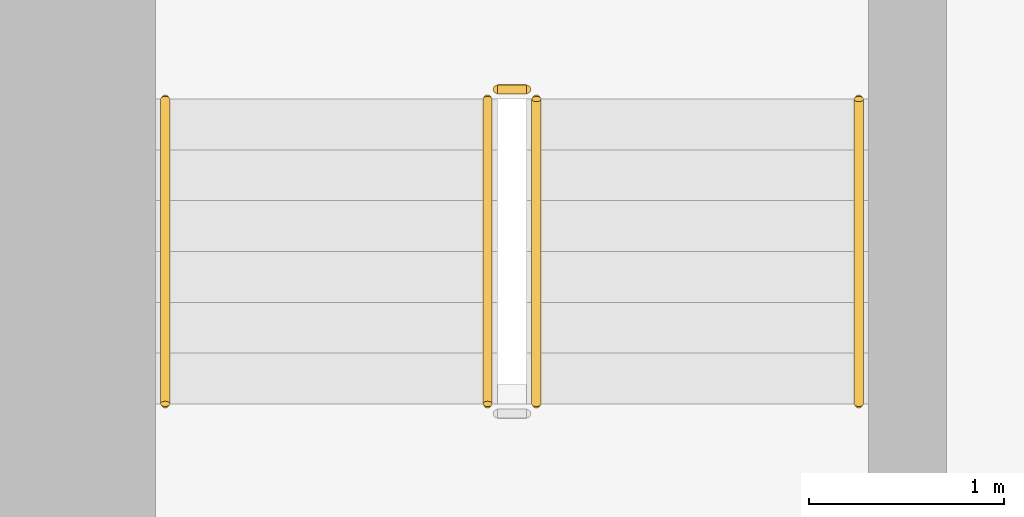
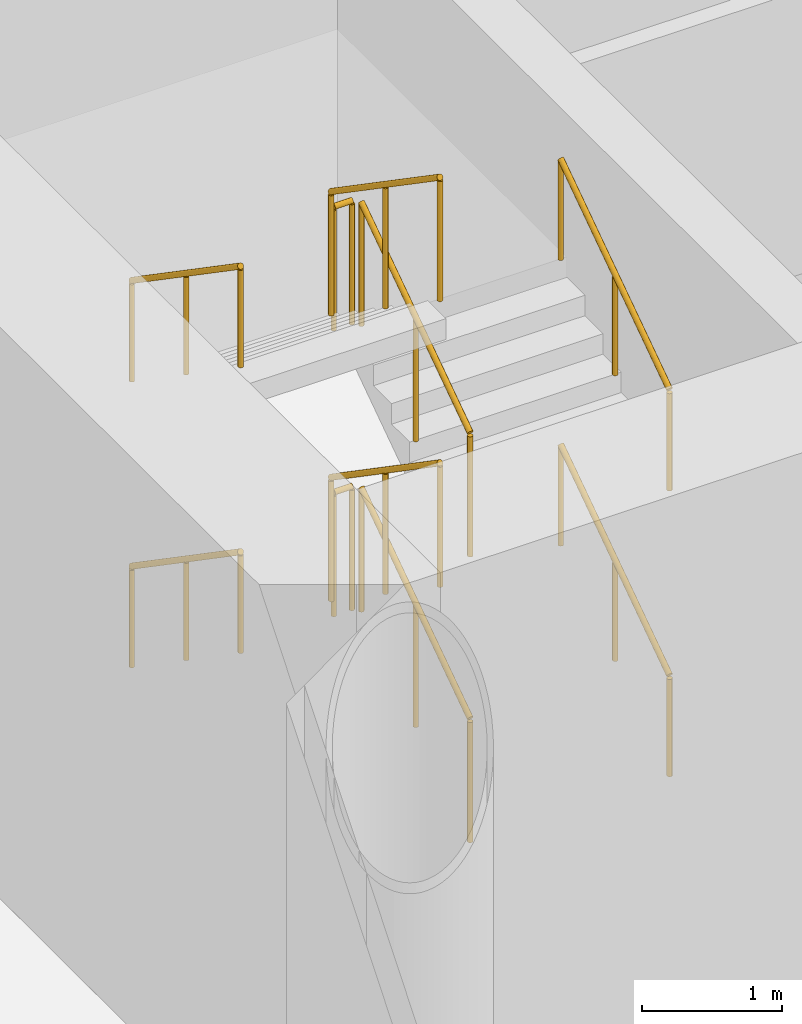
# One storey, part 55 of 59: 10 railings.
"""IFC4 building model written with IfcOpenShell, lengths in metres."""

import ifcopenshell
import ifcopenshell.guid

model = None  # the IFC model being written
_history = None  # IfcOwnerHistory: only IFC2X3 demands one
_inside = {}  # id of a spatial element -> (the spatial element, [elements in it])
_under = {}  # id of a project, library or spatial element -> (it, [spatial elements below it])
_declared = {}  # id of a project -> (the project, [libraries it declares])
_typed = {}  # id of a type object -> (the type object, [elements of that type])
_made_of = {}  # id of a material, layer set ... -> (it, [elements and type objects made of it])


def new_model(schema):
    """Start an empty IFC model of exactly this schema.

    Asked for "IFC4X3", IfcOpenShell would pick the latest addendum, in which some entities
    have other attributes; the version numbers below select the first issue.
    IFC2X3 requires an IfcOwnerHistory on every rooted entity: one is made here for all.
    """
    global model, _history
    if schema == "IFC4X3":
        model = ifcopenshell.file(schema_version=(4, 3, 0, 0))
    else:
        model = ifcopenshell.file(schema=schema)
    _inside.clear()
    _under.clear()
    _declared.clear()
    _typed.clear()
    _made_of.clear()
    _history = None
    if model.schema == "IFC2X3":
        org = make("IfcOrganization", Name="unknown")
        user = make(
            "IfcPersonAndOrganization",
            ThePerson=make("IfcPerson", FamilyName="unknown"),
            TheOrganization=org,
        )
        app = make(
            "IfcApplication",
            ApplicationDeveloper=org,
            Version="unknown",
            ApplicationFullName="unknown",
            ApplicationIdentifier="unknown",
        )
        _history = make(
            "IfcOwnerHistory",
            OwningUser=user,
            OwningApplication=app,
            ChangeAction="ADDED",
            CreationDate=0,
        )
    return model


def make(cls, **values):
    """One entity of the class cls with the attributes given. An attribute that is None is left unset."""
    return model.create_entity(
        cls, **{name: value for name, value in values.items() if value is not None}
    )


def rooted(cls, **values):
    """An entity with a GlobalId (a new one), such as an element, a storey or a relation."""
    return make(cls, GlobalId=ifcopenshell.guid.new(), OwnerHistory=_history, **values)


def si_unit(unit_type, name, prefix=None):
    """IfcSIUnit, for example si_unit("LENGTHUNIT", "METRE", prefix="MILLI")."""
    return make("IfcSIUnit", UnitType=unit_type, Prefix=prefix, Name=name)


def assignment(units):
    """IfcUnitAssignment: the units of a project."""
    return None if units is None else make("IfcUnitAssignment", Units=units)


def point(xyz):
    """IfcCartesianPoint."""
    return None if xyz is None else make("IfcCartesianPoint", Coordinates=xyz)


def direction(xyz):
    """IfcDirection."""
    return None if xyz is None else make("IfcDirection", DirectionRatios=xyz)


def frame(location, z_axis=None, x_axis=None):
    """IfcAxis2Placement3D, a coordinate frame: its origin and axes. An axis left out is left unset."""
    return make(
        "IfcAxis2Placement3D",
        Location=point(location),
        Axis=direction(z_axis),
        RefDirection=direction(x_axis),
    )


def frame_2d(location, x_axis=None):
    """IfcAxis2Placement2D, a coordinate frame in the plane: its origin and x axis."""
    return make(
        "IfcAxis2Placement2D", Location=point(location), RefDirection=direction(x_axis)
    )


def origin():
    """The frame at (0, 0, 0) with its axes left unset."""
    return frame((0.0, 0.0, 0.0))


def origin_2d():
    """The frame at (0, 0) in the plane with its x axis left unset."""
    return frame_2d((0.0, 0.0))


def place(relative_to, where):
    """IfcLocalPlacement: puts the frame where relative to a parent placement (None: the world)."""
    return make(
        "IfcLocalPlacement", PlacementRelTo=relative_to, RelativePlacement=where
    )


def context(
    kind, dimensions, precision=None, world=None, true_north=None, identifier=None
):
    """IfcGeometricRepresentationContext, for example the 3D "Model" context."""
    return make(
        "IfcGeometricRepresentationContext",
        ContextIdentifier=identifier,
        ContextType=kind,
        CoordinateSpaceDimension=dimensions,
        Precision=precision,
        WorldCoordinateSystem=world,
        TrueNorth=true_north,
    )


def subcontext(parent, identifier, kind, view, scale=None):
    """IfcGeometricRepresentationSubContext, for example "Body" below "Model"."""
    return make(
        "IfcGeometricRepresentationSubContext",
        ContextIdentifier=identifier,
        ContextType=kind,
        ParentContext=parent,
        TargetScale=scale,
        TargetView=view,
    )


def project(units=None, contexts=None):
    """IfcProject with its units and contexts."""
    return rooted(
        "IfcProject",
        Name="project",
        RepresentationContexts=contexts,
        UnitsInContext=assignment(units),
    )


def spatial(cls, under=None, at=None, **own):
    """A site, building, storey or space (cls), placed at a placement, below another one or the project."""
    s = rooted(cls, ObjectPlacement=at, **own)
    if under is not None:
        _under.setdefault(under.id(), (under, []))[1].append(s)
    return s


def profile(cls, at=None, kind="AREA", **sizes):
    """A parametric profile (cls). Its sizes go by their IFC names, for example OverallWidth=200.0."""
    return make(cls, ProfileType=kind, Position=at, **sizes)


def circle(**sizes):
    """IfcCircleProfileDef."""
    return profile("IfcCircleProfileDef", **sizes)


def extrude(swept, where, along, depth):
    """IfcExtrudedAreaSolid: the profile swept, set in the frame where, extruded along a direction by depth."""
    return make(
        "IfcExtrudedAreaSolid",
        SweptArea=swept,
        Position=where,
        ExtrudedDirection=direction(along),
        Depth=depth,
    )


def shape(context_of_items, identifier, shape_type, items):
    """IfcShapeRepresentation: the items that make up one representation, for example the "Body"."""
    return make(
        "IfcShapeRepresentation",
        ContextOfItems=context_of_items,
        RepresentationIdentifier=identifier,
        RepresentationType=shape_type,
        Items=items,
    )


def material(Name=None, Category=None):
    """IfcMaterial."""
    return make("IfcMaterial", Name=Name, Category=Category)


def made_of(thing, what):
    """Note that an element or type object is made of a material, layer set ...; save() writes the relation."""
    if what is not None:
        _made_of.setdefault(what.id(), (what, []))[1].append(thing)
    return thing


def type_object(cls, material=None, **own):
    """A type object (cls), such as IfcWallType, which elements share."""
    return made_of(rooted(cls, **own), material)


def element(
    cls,
    number,
    at=None,
    inside=None,
    cuts=None,
    type_object=None,
    material=None,
    context=None,
    identifier="Body",
    shape_type=None,
    held_by="IfcProductDefinitionShape",
    body=None,
    shapes=None,
    **own,
):
    """One element of the class cls, such as IfcWall. Its Tag is "e" and its number.

    at: its placement. inside: the storey or other place that contains it. cuts: it is an
    opening in that element (IfcRelVoidsElement). A single representation is given by context,
    identifier, shape_type and body (its items); several are given by shapes. held_by: the class
    of the entity that holds the representations. save() writes the other relations.
    """
    e = rooted(cls, Tag="e%d" % number, ObjectPlacement=at, **own)
    if body is not None:
        shapes = [shape(context, identifier, shape_type, body)]
    if shapes is not None:
        e.Representation = make(held_by, Representations=shapes)
    if inside is not None:
        _inside.setdefault(inside.id(), (inside, []))[1].append(e)
    if cuts is not None:
        rooted(
            "IfcRelVoidsElement", RelatingBuildingElement=cuts, RelatedOpeningElement=e
        )
    if type_object is not None:
        _typed.setdefault(type_object.id(), (type_object, []))[1].append(e)
    return made_of(e, material)


def aggregate(whole, parts):
    """IfcRelAggregates: a whole, such as a stair, and the parts it consists of."""
    return rooted("IfcRelAggregates", RelatingObject=whole, RelatedObjects=parts)


def save(model, path):
    """Write the relations noted so far, then the file.

    IfcRelAggregates (storeys below a building ...), IfcRelContainedInSpatialStructure (elements
    in a storey), IfcRelDefinesByType, IfcRelAssociatesMaterial and IfcRelDeclares: one each for
    every whole, place, type object, material and project.
    """
    for whole, parts in _under.values():
        aggregate(whole, parts)
    for where, things in _inside.values():
        rooted(
            "IfcRelContainedInSpatialStructure",
            RelatedElements=things,
            RelatingStructure=where,
        )
    for kind, things in _typed.values():
        rooted("IfcRelDefinesByType", RelatedObjects=things, RelatingType=kind)
    for what, things in _made_of.values():
        rooted("IfcRelAssociatesMaterial", RelatedObjects=things, RelatingMaterial=what)
    for by, libraries in _declared.values():
        rooted("IfcRelDeclares", RelatingContext=by, RelatedDefinitions=libraries)
    model.write(path)


model = new_model("IFC4")

# Units and contexts
model_context = context("Model", 3, precision=1e-05, world=origin(), true_north=direction((0.0, 1.0)))
body_context = subcontext(model_context, "Body", "Model", "MODEL_VIEW")
ifc_project = project(units=[si_unit("LENGTHUNIT", "METRE"), si_unit("AREAUNIT", "SQUARE_METRE"), si_unit("VOLUMEUNIT", "CUBIC_METRE"), si_unit("PLANEANGLEUNIT", "RADIAN"), si_unit("MASSUNIT", "GRAM", prefix="KILO")], contexts=[model_context])

# Site, building, storey
site_placement = place(None, origin())
site = spatial("IfcSite", under=ifc_project, at=site_placement, CompositionType="ELEMENT")
building_placement = place(site_placement, origin())
building = spatial("IfcBuilding", under=site, at=building_placement, Name="Ipe Terrace Towers", CompositionType="ELEMENT")
storey_placement = place(building_placement, frame((0.0, 0.0, 6.0)))
storey = spatial("IfcBuildingStorey", under=building, at=storey_placement, Name="L01", CompositionType="ELEMENT", Elevation=6.0)

# Railings
ifc_material_1 = material(Name="Steel S355", Category="steel")
railing_type_1 = type_object("IfcRailingType", Name="Stair guard 1100", PredefinedType="GUARDRAIL", material=ifc_material_1)
railing_1_placement = place(storey_placement, frame((32.39990234375, 9.699951171875, 0.178466796875)))
element("IfcRailing", 1, at=railing_1_placement, inside=storey, type_object=railing_type_1, Name="L01 T2-ST1 stair guard 1", PredefinedType="GUARDRAIL", context=body_context, shape_type="SweptSolid", body=[
    extrude(circle(Radius=0.02392578125, at=origin_2d()), frame((0.0, 0.0, 1.076171875), z_axis=(0.0, 0.82429025813, 0.566167440208), x_axis=(-1.0, 0.0, 0.0)), (0.0, 0.0, 1.0), 1.892578125),
    extrude(circle(Radius=0.02099609375, at=origin_2d()), origin(), (0.0, 0.0, 1.0), 1.052001953125),
    extrude(circle(Radius=0.02099609375, at=origin_2d()), frame((0.0, 0.780029296875, 0.53564453125)), (0.0, 0.0, 1.0), 1.052001953125),
    extrude(circle(Radius=0.02099609375, at=origin_2d()), frame((0.0, 1.56005859375, 1.071533203125)), (0.0, 0.0, 1.0), 1.052001953125),
])
railing_2_placement = place(storey_placement, frame((32.35009765625, 11.31005859375, 1.25)))
element("IfcRailing", 2, at=railing_2_placement, inside=storey, type_object=railing_type_1, Name="L01 T2-ST1 stair guard 2", PredefinedType="GUARDRAIL", context=body_context, shape_type="SweptSolid", body=[
    extrude(circle(Radius=0.02392578125, at=origin_2d()), frame((0.0, 0.0, 1.076171875), z_axis=(-1.0, 0.0, 0.0), x_axis=(0.0, -1.0, 0.0)), (0.0, 0.0, 1.0), 0.150146484375),
    extrude(circle(Radius=0.02099609375, at=origin_2d()), origin(), (0.0, 0.0, 1.0), 1.052001953125),
    extrude(circle(Radius=0.02099609375, at=origin_2d()), frame((-0.150146484375, 0.0, 0.0)), (0.0, 0.0, 1.0), 1.052001953125),
])
railing_3_placement = place(storey_placement, frame((32.14990234375, 11.260009765625, 1.428466796875)))
element("IfcRailing", 3, at=railing_3_placement, inside=storey, type_object=railing_type_1, Name="L01 T2-ST1 stair guard 3", PredefinedType="GUARDRAIL", context=body_context, shape_type="SweptSolid", body=[
    extrude(circle(Radius=0.02392578125, at=origin_2d()), frame((0.0, 0.0, 1.076171875), z_axis=(0.0, -0.82429025813, 0.566167440208), x_axis=(1.0, 0.0, 0.0)), (0.0, 0.0, 1.0), 1.892578125),
    extrude(circle(Radius=0.02099609375, at=origin_2d()), origin(), (0.0, 0.0, 1.0), 1.052001953125),
    extrude(circle(Radius=0.02099609375, at=origin_2d()), frame((0.0, -0.780029296875, 0.53564453125)), (0.0, 0.0, 1.0), 1.052001953125),
    extrude(circle(Radius=0.02099609375, at=origin_2d()), frame((0.0, -1.56005859375, 1.071533203125)), (0.0, 0.0, 1.0), 1.052001953125),
])
railing_4_placement = place(storey_placement, frame((32.39990234375, 9.699951171875, 2.678466796875)))
element("IfcRailing", 4, at=railing_4_placement, inside=storey, type_object=railing_type_1, Name="L01 T2-ST1 stair guard 5", PredefinedType="GUARDRAIL", context=body_context, shape_type="SweptSolid", body=[
    extrude(circle(Radius=0.02392578125, at=origin_2d()), frame((0.0, 0.0, 1.076171875), z_axis=(0.0, 0.82429025813, 0.566167440208), x_axis=(-1.0, 0.0, 0.0)), (0.0, 0.0, 1.0), 1.892578125),
    extrude(circle(Radius=0.02099609375, at=origin_2d()), origin(), (0.0, 0.0, 1.0), 1.052001953125),
    extrude(circle(Radius=0.02099609375, at=origin_2d()), frame((0.0, 0.780029296875, 0.53564453125)), (0.0, 0.0, 1.0), 1.052001953125),
    extrude(circle(Radius=0.02099609375, at=origin_2d()), frame((0.0, 1.56005859375, 1.071533203125)), (0.0, 0.0, 1.0), 1.052001953125),
])
railing_5_placement = place(storey_placement, frame((32.35009765625, 11.31005859375, 3.75)))
element("IfcRailing", 5, at=railing_5_placement, inside=storey, type_object=railing_type_1, Name="L01 T2-ST1 stair guard 6", PredefinedType="GUARDRAIL", context=body_context, shape_type="SweptSolid", body=[
    extrude(circle(Radius=0.02392578125, at=origin_2d()), frame((0.0, 0.0, 1.076171875), z_axis=(-1.0, 0.0, 0.0), x_axis=(0.0, -1.0, 0.0)), (0.0, 0.0, 1.0), 0.150146484375),
    extrude(circle(Radius=0.02099609375, at=origin_2d()), origin(), (0.0, 0.0, 1.0), 1.052001953125),
    extrude(circle(Radius=0.02099609375, at=origin_2d()), frame((-0.150146484375, 0.0, 0.0)), (0.0, 0.0, 1.0), 1.052001953125),
])
railing_6_placement = place(storey_placement, frame((32.14990234375, 11.260009765625, 3.928466796875)))
element("IfcRailing", 6, at=railing_6_placement, inside=storey, type_object=railing_type_1, Name="L01 T2-ST1 stair guard 7", PredefinedType="GUARDRAIL", context=body_context, shape_type="SweptSolid", body=[
    extrude(circle(Radius=0.02392578125, at=origin_2d()), frame((0.0, 0.0, 1.076171875), z_axis=(0.0, -0.82429025813, 0.566167440208), x_axis=(1.0, 0.0, 0.0)), (0.0, 0.0, 1.0), 1.892578125),
    extrude(circle(Radius=0.02099609375, at=origin_2d()), origin(), (0.0, 0.0, 1.0), 1.052001953125),
    extrude(circle(Radius=0.02099609375, at=origin_2d()), frame((0.0, -0.780029296875, 0.53564453125)), (0.0, 0.0, 1.0), 1.052001953125),
    extrude(circle(Radius=0.02099609375, at=origin_2d()), frame((0.0, -1.56005859375, 1.071533203125)), (0.0, 0.0, 1.0), 1.052001953125),
])
ifc_material_2 = material(Name="Stainless steel grade 304", Category="steel")
railing_type_2 = type_object("IfcRailingType", Name="Stair handrail 900", PredefinedType="HANDRAIL", material=ifc_material_2)
railing_7_placement = place(storey_placement, frame((34.050048828125, 9.699951171875, 0.178466796875)))
element("IfcRailing", 7, at=railing_7_placement, inside=storey, type_object=railing_type_2, Name="L01 T2-ST1 stair handrail 1", PredefinedType="HANDRAIL", context=body_context, shape_type="SweptSolid", body=[
    extrude(circle(Radius=0.02392578125, at=origin_2d()), frame((0.0, 0.0, 0.8759765625), z_axis=(0.0, 0.82429025813, 0.566167440208), x_axis=(-1.0, 0.0, 0.0)), (0.0, 0.0, 1.0), 1.892578125),
    extrude(circle(Radius=0.02099609375, at=origin_2d()), origin(), (0.0, 0.0, 1.0), 0.851806640625),
    extrude(circle(Radius=0.02099609375, at=origin_2d()), frame((0.0, 0.780029296875, 0.53564453125)), (0.0, 0.0, 1.0), 0.851806640625),
    extrude(circle(Radius=0.02099609375, at=origin_2d()), frame((0.0, 1.56005859375, 1.071533203125)), (0.0, 0.0, 1.0), 0.851806640625),
])
railing_8_placement = place(storey_placement, frame((30.5, 11.260009765625, 1.428466796875)))
element("IfcRailing", 8, at=railing_8_placement, inside=storey, type_object=railing_type_2, Name="L01 T2-ST1 stair handrail 2", PredefinedType="HANDRAIL", context=body_context, shape_type="SweptSolid", body=[
    extrude(circle(Radius=0.02392578125, at=origin_2d()), frame((0.0, 0.0, 0.8759765625), z_axis=(0.0, -0.82429025813, 0.566167440208), x_axis=(1.0, 0.0, 0.0)), (0.0, 0.0, 1.0), 1.892578125),
    extrude(circle(Radius=0.02099609375, at=origin_2d()), origin(), (0.0, 0.0, 1.0), 0.851806640625),
    extrude(circle(Radius=0.02099609375, at=origin_2d()), frame((0.0, -0.780029296875, 0.53564453125)), (0.0, 0.0, 1.0), 0.851806640625),
    extrude(circle(Radius=0.02099609375, at=origin_2d()), frame((0.0, -1.56005859375, 1.071533203125)), (0.0, 0.0, 1.0), 0.851806640625),
])
railing_9_placement = place(storey_placement, frame((34.050048828125, 9.699951171875, 2.678466796875)))
element("IfcRailing", 9, at=railing_9_placement, inside=storey, type_object=railing_type_2, Name="L01 T2-ST1 stair handrail 3", PredefinedType="HANDRAIL", context=body_context, shape_type="SweptSolid", body=[
    extrude(circle(Radius=0.02392578125, at=origin_2d()), frame((0.0, 0.0, 0.8759765625), z_axis=(0.0, 0.82429025813, 0.566167440208), x_axis=(-1.0, 0.0, 0.0)), (0.0, 0.0, 1.0), 1.892578125),
    extrude(circle(Radius=0.02099609375, at=origin_2d()), origin(), (0.0, 0.0, 1.0), 0.851806640625),
    extrude(circle(Radius=0.02099609375, at=origin_2d()), frame((0.0, 0.780029296875, 0.53564453125)), (0.0, 0.0, 1.0), 0.851806640625),
    extrude(circle(Radius=0.02099609375, at=origin_2d()), frame((0.0, 1.56005859375, 1.071533203125)), (0.0, 0.0, 1.0), 0.851806640625),
])
railing_10_placement = place(storey_placement, frame((30.5, 11.260009765625, 3.928466796875)))
element("IfcRailing", 10, at=railing_10_placement, inside=storey, type_object=railing_type_2, Name="L01 T2-ST1 stair handrail 4", PredefinedType="HANDRAIL", context=body_context, shape_type="SweptSolid", body=[
    extrude(circle(Radius=0.02392578125, at=origin_2d()), frame((0.0, 0.0, 0.8759765625), z_axis=(0.0, -0.82429025813, 0.566167440208), x_axis=(1.0, 0.0, 0.0)), (0.0, 0.0, 1.0), 1.892578125),
    extrude(circle(Radius=0.02099609375, at=origin_2d()), origin(), (0.0, 0.0, 1.0), 0.851806640625),
    extrude(circle(Radius=0.02099609375, at=origin_2d()), frame((0.0, -0.780029296875, 0.53564453125)), (0.0, 0.0, 1.0), 0.851806640625),
    extrude(circle(Radius=0.02099609375, at=origin_2d()), frame((0.0, -1.56005859375, 1.071533203125)), (0.0, 0.0, 1.0), 0.851806640625),
])

save(model, "model.ifc")
